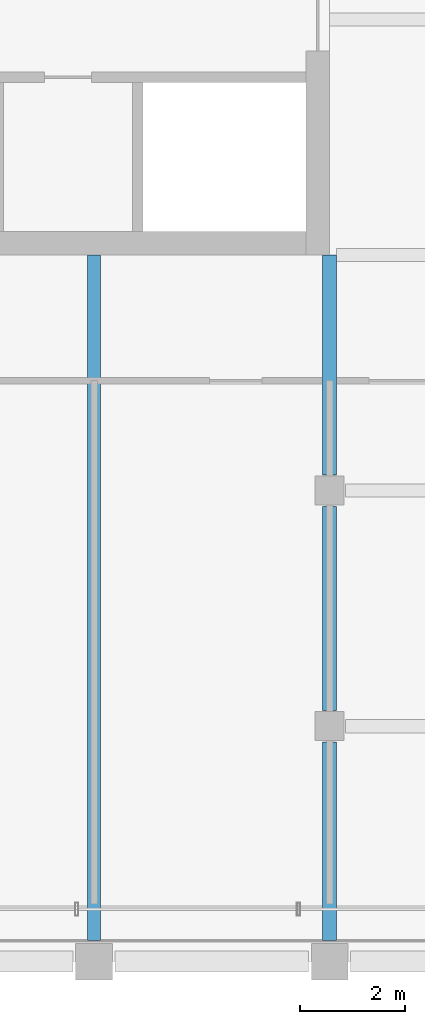
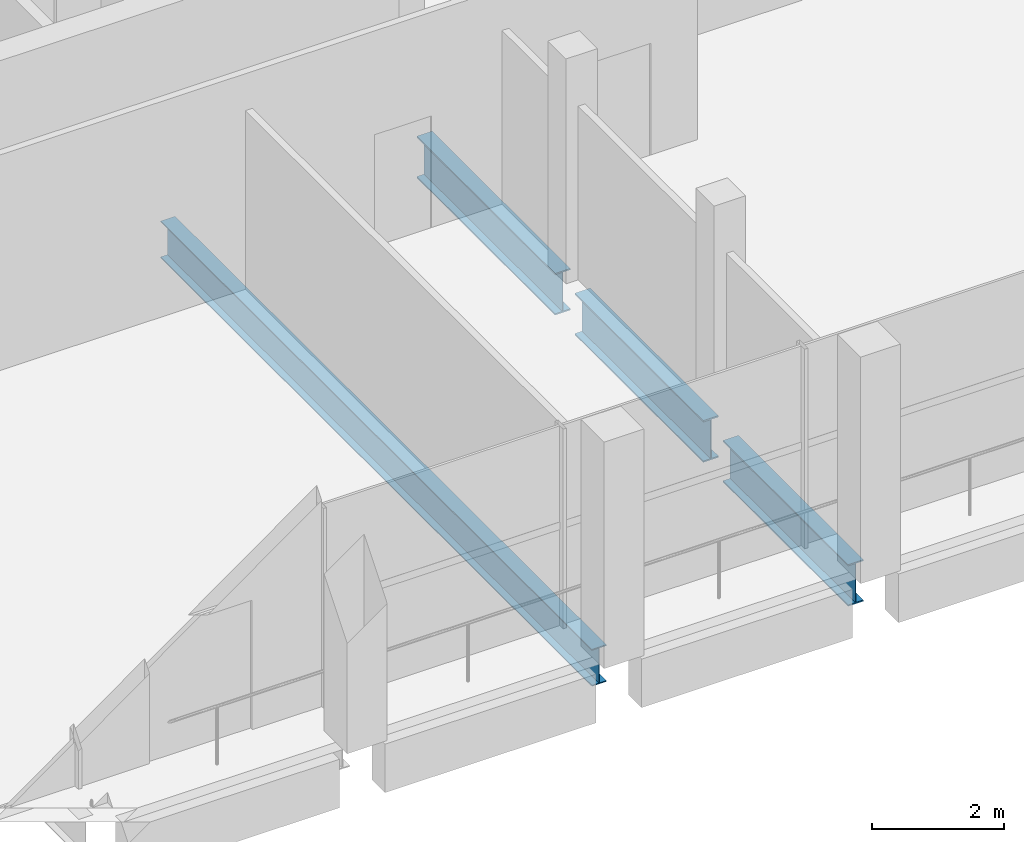
# One storey, part 6 of 17: 4 beams.
"""IFC4 building model written with IfcOpenShell, lengths in metres."""

from ifc_helpers import new_model, si_unit, direction, frame, origin, origin_2d, place, context, subcontext, project, spatial, i_section, extrude, material, material_profile, profile_set, type_object, element, save


model = new_model("IFC4")

# Units and contexts
model_context = context("Model", 3, precision=1e-05, world=origin(), true_north=direction((0.0, 1.0)))
body_context = subcontext(model_context, "Body", "Model", "MODEL_VIEW")
ifc_project = project(units=[si_unit("LENGTHUNIT", "METRE"), si_unit("AREAUNIT", "SQUARE_METRE"), si_unit("VOLUMEUNIT", "CUBIC_METRE"), si_unit("PLANEANGLEUNIT", "RADIAN"), si_unit("MASSUNIT", "GRAM", prefix="KILO")], contexts=[model_context])

# Site, building, storey
site_placement = place(None, origin())
site = spatial("IfcSite", under=ifc_project, at=site_placement, CompositionType="ELEMENT")
building_placement = place(site_placement, origin())
building = spatial("IfcBuilding", under=site, at=building_placement, Name="Altepetl Exchange Towers", CompositionType="ELEMENT")
storey_placement = place(building_placement, frame((0.0, 0.0, 251.0)))
storey = spatial("IfcBuildingStorey", under=building, at=storey_placement, Name="L64", CompositionType="ELEMENT", Elevation=251.0)

# Beams
ifc_material = material(Name="Steel S355", Category="steel")
ifc_material_profile_1 = material_profile(ifc_material, i_section(OverallWidth=0.25390625, OverallDepth=0.68408203125, WebThickness=0.012451171875, FlangeThickness=0.018798828125, at=origin_2d()), Name="W27X94")
ifc_profile_set_1 = profile_set([ifc_material_profile_1], Name="Steel S355")
beam_type_1 = type_object("IfcBeamType", Name="Floor beam W27X94", PredefinedType="BEAM", material=ifc_profile_set_1)
beam_1_placement = place(storey_placement, frame((54.0, 27.39990234375, -0.51708984375), z_axis=(0.0, 1.0, 0.0), x_axis=(-1.0, 0.0, 0.0)))
element("IfcBeam", 1, at=beam_1_placement, inside=storey, type_object=beam_type_1, Name="bm:A:L64:017", PredefinedType="BEAM", context=body_context, shape_type="SweptSolid", body=[
    extrude(i_section(OverallWidth=0.25390625, OverallDepth=0.68408203125, WebThickness=0.012451171875, FlangeThickness=0.018798828125, at=origin_2d()), origin(), (0.0, 0.0, 1.0), 13.10009765625),
])
ifc_material_profile_2 = material_profile(ifc_material, i_section(OverallWidth=0.26806640625, OverallDepth=0.77392578125, WebThickness=0.015380859375, FlangeThickness=0.025390625, at=origin_2d()), Name="W30X132")
ifc_profile_set_2 = profile_set([ifc_material_profile_2], Name="Steel S355")
beam_type_2 = type_object("IfcBeamType", Name="Girder W30X132", PredefinedType="BEAM", material=ifc_profile_set_2)
beam_2_placement = place(storey_placement, frame((58.5, 40.5, -0.56201171875), z_axis=(0.0, -1.0, 0.0), x_axis=(1.0, 0.0, 0.0)))
element("IfcBeam", 2, at=beam_2_placement, inside=storey, type_object=beam_type_2, Name="gd:A:L64:003", PredefinedType="BEAM", context=body_context, shape_type="SweptSolid", body=[
    extrude(i_section(OverallWidth=0.26806640625, OverallDepth=0.77392578125, WebThickness=0.015380859375, FlangeThickness=0.025390625, at=origin_2d()), origin(), (0.0, 0.0, 1.0), 4.199951171875),
])
beam_3_placement = place(storey_placement, frame((58.5, 35.699951171875, -0.56201171875), z_axis=(0.0, -1.0, 0.0), x_axis=(1.0, 0.0, 0.0)))
element("IfcBeam", 3, at=beam_3_placement, inside=storey, type_object=beam_type_2, Name="gd:A:L64:004", PredefinedType="BEAM", context=body_context, shape_type="SweptSolid", body=[
    extrude(i_section(OverallWidth=0.26806640625, OverallDepth=0.77392578125, WebThickness=0.015380859375, FlangeThickness=0.025390625, at=origin_2d()), origin(), (0.0, 0.0, 1.0), 3.89990234375),
])
beam_4_placement = place(storey_placement, frame((58.5, 31.199951171875, -0.56201171875), z_axis=(0.0, -1.0, 0.0), x_axis=(1.0, 0.0, 0.0)))
element("IfcBeam", 4, at=beam_4_placement, inside=storey, type_object=beam_type_2, Name="gd:A:L64:005", PredefinedType="BEAM", context=body_context, shape_type="SweptSolid", body=[
    extrude(i_section(OverallWidth=0.26806640625, OverallDepth=0.77392578125, WebThickness=0.015380859375, FlangeThickness=0.025390625, at=origin_2d()), origin(), (0.0, 0.0, 1.0), 3.800048828125),
])

save(model, "model.ifc")
